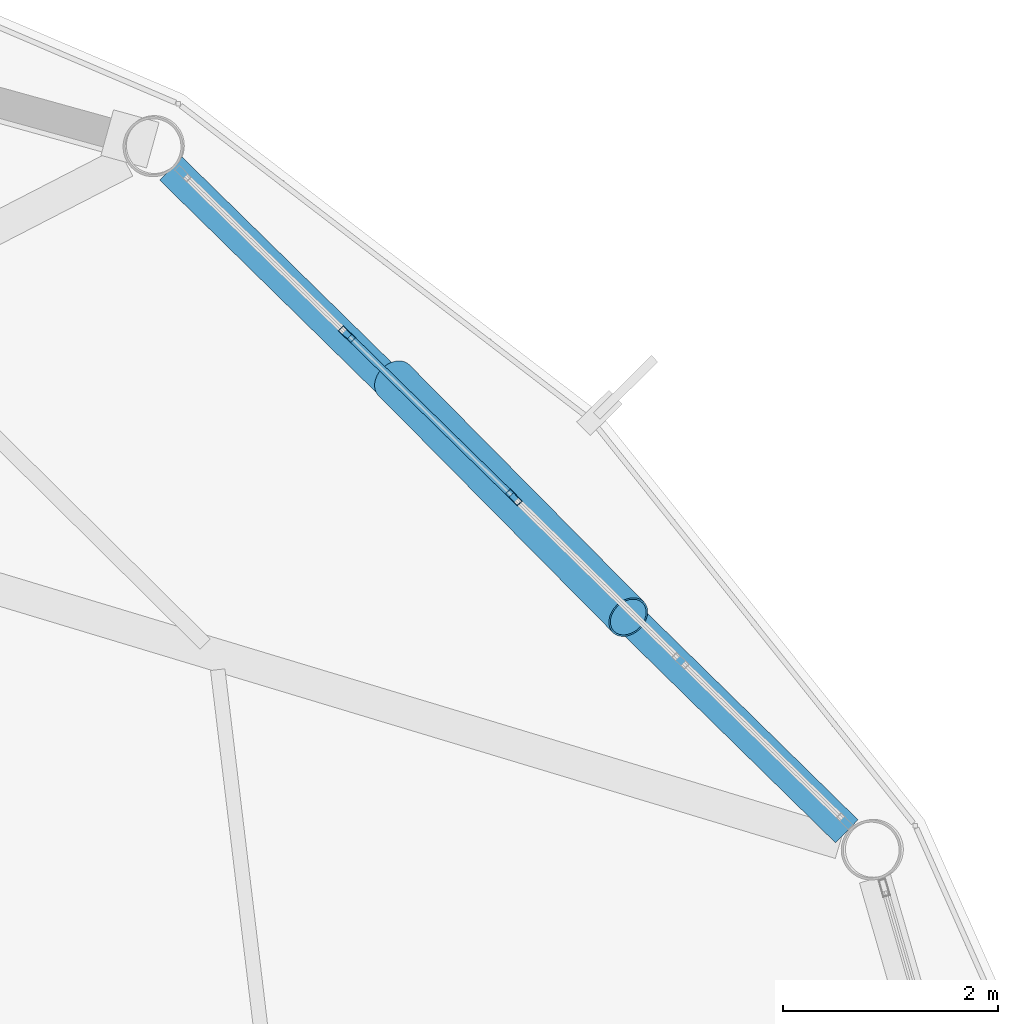
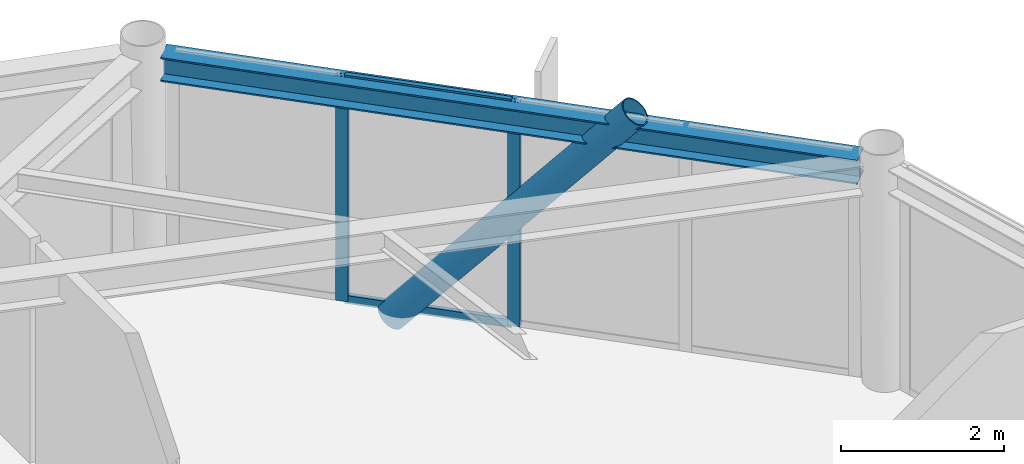
# One storey, part 14 of 25: 5 members, 1 beam, 1 element without a shape of its own.
"""IFC4 building model written with IfcOpenShell, lengths in metres."""

from ifc_helpers import new_model, si_unit, direction, frame, origin, origin_2d, place, context, subcontext, project, spatial, hollow_rectangle, hollow_circle, i_section, extrude, material, layer, layer_set, material_profile, profile_set, type_object, element, aggregate, save


model = new_model("IFC4")

# Units and contexts
model_context = context("Model", 3, precision=1e-05, world=origin(), true_north=direction((0.0, 1.0)))
body_context = subcontext(model_context, "Body", "Model", "MODEL_VIEW")
ifc_project = project(units=[si_unit("LENGTHUNIT", "METRE"), si_unit("AREAUNIT", "SQUARE_METRE"), si_unit("VOLUMEUNIT", "CUBIC_METRE"), si_unit("PLANEANGLEUNIT", "RADIAN"), si_unit("MASSUNIT", "GRAM", prefix="KILO")], contexts=[model_context])

# Site, building, storey
site_placement = place(None, origin())
site = spatial("IfcSite", under=ifc_project, at=site_placement, CompositionType="ELEMENT")
building_placement = place(site_placement, origin())
building = spatial("IfcBuilding", under=site, at=building_placement, Name="Varnakorn Sky Granary", CompositionType="ELEMENT")
storey_placement = place(building_placement, frame((0.0, 0.0, 252.60009765625)))
storey = spatial("IfcBuildingStorey", under=building, at=storey_placement, Name="L64", CompositionType="ELEMENT", Elevation=252.60009765625)

# Beam
ifc_material_1 = material(Name="Steel S355JR", Category="steel")
ifc_material_profile_1 = material_profile(ifc_material_1, i_section(OverallWidth=0.300048828125, OverallDepth=0.360107421875, WebThickness=0.012451171875, FlangeThickness=0.0224609375, at=origin_2d()), Name="HE 360 B")
ifc_profile_set_1 = profile_set([ifc_material_profile_1], Name="Steel S355JR")
beam_type = type_object("IfcBeamType", Name="BM-SPD-Z5", PredefinedType="SPANDREL", material=ifc_profile_set_1)
beam_placement = place(storey_placement, frame((20.4443359375, 9.1201171875, 3.179931640625), z_axis=(-0.714011744048, 0.700133722486, 0.0), x_axis=(-0.700133722486, -0.714011744048, 0.0)))
element("IfcBeam", 1, at=beam_placement, inside=storey, type_object=beam_type, Name="Perimeter Spandrel Ring Beam RB02 L64", PredefinedType="SPANDREL", context=body_context, shape_type="SweptSolid", body=[
    extrude(i_section(OverallWidth=0.300048828125, OverallDepth=0.360107421875, WebThickness=0.012451171875, FlangeThickness=0.0224609375, at=origin_2d()), origin(), (0.0, 0.0, 1.0), 8.8134765625),
])

# Curtain wall, members
ifc_material_2 = material(Name="Anodised Bronze Aluminium Alloy 6063-T6", Category="aluminium")
ifc_layer = layer(ifc_material_2, 0.159912109375, Name="Anodised Bronze Aluminium Alloy 6063-T6")
ifc_layer_set = layer_set([ifc_layer], Name="Anodised Bronze Aluminium Alloy 6063-T6")
curtain_wall_type = type_object("IfcCurtainWallType", Name="CW-OFF-1", PredefinedType="USERDEFINED", material=ifc_layer_set)
curtain_wall_placement = place(storey_placement, origin())
curtain_wall = element("IfcCurtainWall", 2, at=curtain_wall_placement, inside=storey, type_object=curtain_wall_type, Name="Unitised Curtain Wall CW6 CW-L64-B02", ObjectType="CURTAIN WALL", PredefinedType="USERDEFINED")
ifc_material_profile_2 = material_profile(ifc_material_2, hollow_rectangle(XDim=0.06494140625, YDim=0.159912109375, WallThickness=0.00341796875, at=origin_2d()), Name="ALU MULL 65x160")
ifc_profile_set_2 = profile_set([ifc_material_profile_2], Name="Anodised Bronze Aluminium Alloy 6063-T6")
member_type_1 = type_object("IfcMemberType", Name="CW-OFF-1-MULL", PredefinedType="MULLION", material=ifc_profile_set_2)
member_1_placement = place(storey_placement, frame((15.791015625, 13.748291015625, 0.0), z_axis=(0.0, 0.0, 1.0), x_axis=(0.699482431072, 0.71464979439, 0.0)))
member_1 = element("IfcMember", 3, at=member_1_placement, type_object=member_type_1, Name="CW6 mullion 2", PredefinedType="MULLION", context=body_context, shape_type="SweptSolid", body=[
    extrude(hollow_rectangle(XDim=0.06494140625, YDim=0.159912109375, WallThickness=0.00341796875, at=origin_2d()), origin(), (0.0, 0.0, 1.0), 3.35986328125),
])
member_2_placement = place(storey_placement, frame((17.34375, 12.228759765625, 0.0), z_axis=(0.0, 0.0, 1.0), x_axis=(0.699482431072, 0.71464979439, 0.0)))
member_2 = element("IfcMember", 4, at=member_2_placement, type_object=member_type_1, Name="CW6 mullion 3", PredefinedType="MULLION", context=body_context, shape_type="SweptSolid", body=[
    extrude(hollow_rectangle(XDim=0.06494140625, YDim=0.159912109375, WallThickness=0.00341796875, at=origin_2d()), origin(), (0.0, 0.0, 1.0), 3.35986328125),
])
ifc_material_profile_3 = material_profile(ifc_material_2, hollow_rectangle(XDim=0.06494140625, YDim=0.1201171875, WallThickness=0.00341796875, at=origin_2d()), Name="ALU TRAN 65x120")
ifc_profile_set_3 = profile_set([ifc_material_profile_3], Name="Anodised Bronze Aluminium Alloy 6063-T6")
member_type_2 = type_object("IfcMemberType", Name="CW-OFF-1-TRAN", PredefinedType="USERDEFINED", material=ifc_profile_set_3)
member_3_placement = place(storey_placement, frame((15.814453125, 13.7255859375, 0.032470703125), z_axis=(0.714597293426, -0.699536066424, 0.0), x_axis=(0.699536066424, 0.714597293426, 0.0)))
member_3 = element("IfcMember", 5, at=member_3_placement, type_object=member_type_2, Name="CW6 transom 2.1", ObjectType="TRANSOM", PredefinedType="USERDEFINED", context=body_context, shape_type="SweptSolid", body=[
    extrude(hollow_rectangle(XDim=0.06494140625, YDim=0.1201171875, WallThickness=0.00341796875, at=origin_2d()), origin(), (0.0, 0.0, 1.0), 2.107177734375),
])
member_4_placement = place(storey_placement, frame((15.814453125, 13.7255859375, 3.327392578125), z_axis=(0.714597293426, -0.699536066424, 0.0), x_axis=(0.699536066424, 0.714597293426, 0.0)))
member_4 = element("IfcMember", 6, at=member_4_placement, type_object=member_type_2, Name="CW6 transom 2.2", ObjectType="TRANSOM", PredefinedType="USERDEFINED", context=body_context, shape_type="SweptSolid", body=[
    extrude(hollow_rectangle(XDim=0.06494140625, YDim=0.1201171875, WallThickness=0.00341796875, at=origin_2d()), origin(), (0.0, 0.0, 1.0), 2.107177734375),
])
aggregate(curtain_wall, [member_1, member_2, member_3, member_4])

# Member
ifc_material_3 = material(Name="Steel S460M", Category="steel")
ifc_material_profile_4 = material_profile(ifc_material_3, hollow_circle(Radius=0.203125, WallThickness=0.01611328125, at=origin_2d()), Name="CHS 406.4x16")
ifc_profile_set_4 = profile_set([ifc_material_profile_4], Name="Steel S460M")
member_type_3 = type_object("IfcMemberType", Name="MB-DIAG-T4", PredefinedType="BRACE", material=ifc_profile_set_4)
member_5_placement = place(storey_placement, frame((16.227783203125, 13.32080078125, -0.130126953125), z_axis=(0.457644597658, -0.462611759566, 0.75931006983), x_axis=(0.710913094372, 0.703279867656, 0.0)))
element("IfcMember", 7, at=member_5_placement, inside=storey, type_object=member_type_3, Name="Perimeter CHS Diagrid Brace DG02 L64", PredefinedType="BRACE", context=body_context, shape_type="SweptSolid", body=[
    extrude(hollow_circle(Radius=0.203125, WallThickness=0.01611328125, at=origin_2d()), origin(), (0.0, 0.0, 1.0), 4.767578125),
])

save(model, "model.ifc")
